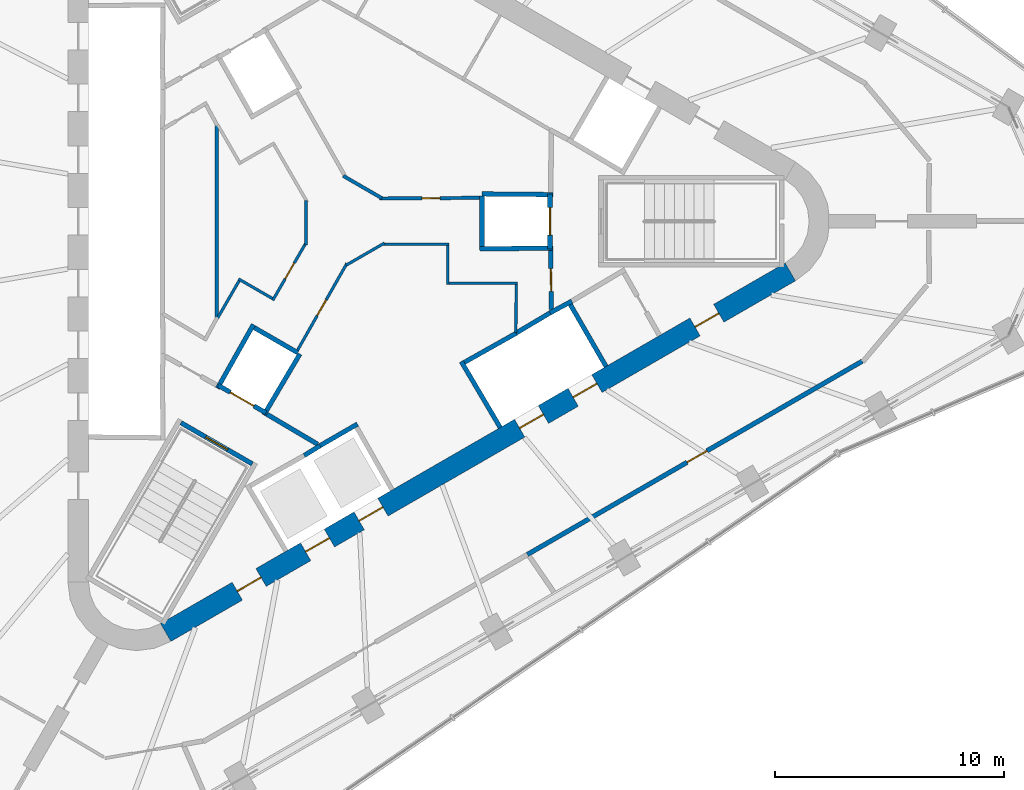
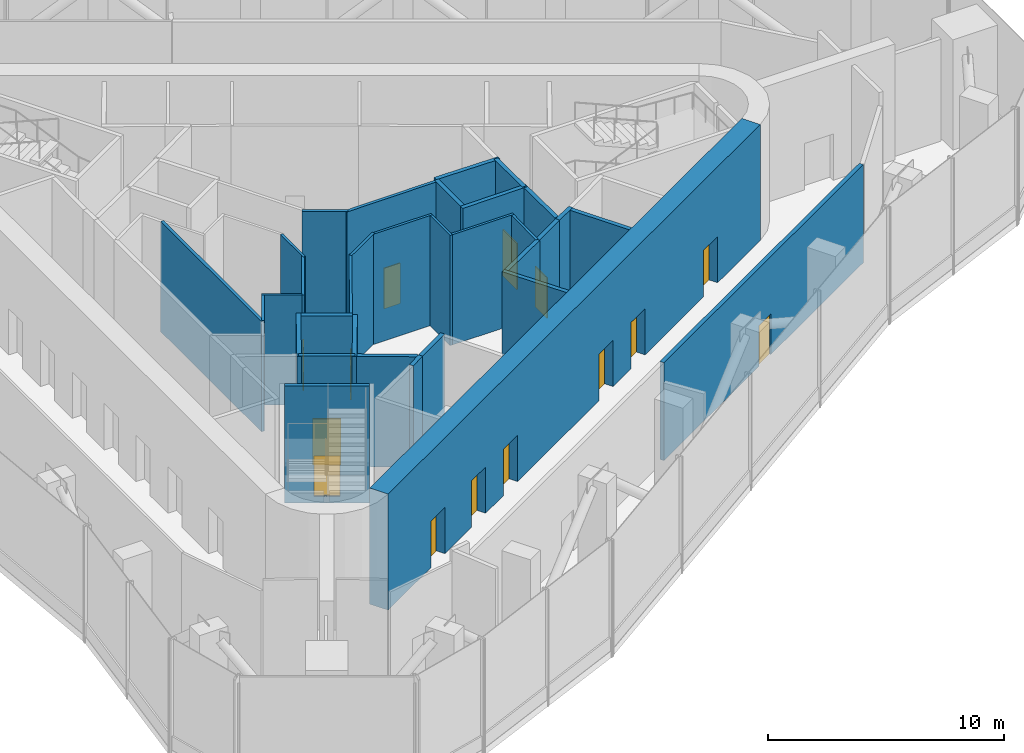
# One storey, part 8 of 15: 33 walls, 14 doors, 14 openings.
"""IFC4 building model written with IfcOpenShell, lengths in metres."""

import ifcopenshell
import ifcopenshell.guid

model = None  # the IFC model being written
_history = None  # IfcOwnerHistory: only IFC2X3 demands one
_inside = {}  # id of a spatial element -> (the spatial element, [elements in it])
_under = {}  # id of a project, library or spatial element -> (it, [spatial elements below it])
_declared = {}  # id of a project -> (the project, [libraries it declares])
_typed = {}  # id of a type object -> (the type object, [elements of that type])
_made_of = {}  # id of a material, layer set ... -> (it, [elements and type objects made of it])


def new_model(schema):
    """Start an empty IFC model of exactly this schema.

    Asked for "IFC4X3", IfcOpenShell would pick the latest addendum, in which some entities
    have other attributes; the version numbers below select the first issue.
    IFC2X3 requires an IfcOwnerHistory on every rooted entity: one is made here for all.
    """
    global model, _history
    if schema == "IFC4X3":
        model = ifcopenshell.file(schema_version=(4, 3, 0, 0))
    else:
        model = ifcopenshell.file(schema=schema)
    _inside.clear()
    _under.clear()
    _declared.clear()
    _typed.clear()
    _made_of.clear()
    _history = None
    if model.schema == "IFC2X3":
        org = make("IfcOrganization", Name="unknown")
        user = make(
            "IfcPersonAndOrganization",
            ThePerson=make("IfcPerson", FamilyName="unknown"),
            TheOrganization=org,
        )
        app = make(
            "IfcApplication",
            ApplicationDeveloper=org,
            Version="unknown",
            ApplicationFullName="unknown",
            ApplicationIdentifier="unknown",
        )
        _history = make(
            "IfcOwnerHistory",
            OwningUser=user,
            OwningApplication=app,
            ChangeAction="ADDED",
            CreationDate=0,
        )
    return model


def make(cls, **values):
    """One entity of the class cls with the attributes given. An attribute that is None is left unset."""
    return model.create_entity(
        cls, **{name: value for name, value in values.items() if value is not None}
    )


def rooted(cls, **values):
    """An entity with a GlobalId (a new one), such as an element, a storey or a relation."""
    return make(cls, GlobalId=ifcopenshell.guid.new(), OwnerHistory=_history, **values)


def si_unit(unit_type, name, prefix=None):
    """IfcSIUnit, for example si_unit("LENGTHUNIT", "METRE", prefix="MILLI")."""
    return make("IfcSIUnit", UnitType=unit_type, Prefix=prefix, Name=name)


def assignment(units):
    """IfcUnitAssignment: the units of a project."""
    return None if units is None else make("IfcUnitAssignment", Units=units)


def point(xyz):
    """IfcCartesianPoint."""
    return None if xyz is None else make("IfcCartesianPoint", Coordinates=xyz)


def direction(xyz):
    """IfcDirection."""
    return None if xyz is None else make("IfcDirection", DirectionRatios=xyz)


def frame(location, z_axis=None, x_axis=None):
    """IfcAxis2Placement3D, a coordinate frame: its origin and axes. An axis left out is left unset."""
    return make(
        "IfcAxis2Placement3D",
        Location=point(location),
        Axis=direction(z_axis),
        RefDirection=direction(x_axis),
    )


def frame_2d(location, x_axis=None):
    """IfcAxis2Placement2D, a coordinate frame in the plane: its origin and x axis."""
    return make(
        "IfcAxis2Placement2D", Location=point(location), RefDirection=direction(x_axis)
    )


def origin():
    """The frame at (0, 0, 0) with its axes left unset."""
    return frame((0.0, 0.0, 0.0))


def place(relative_to, where):
    """IfcLocalPlacement: puts the frame where relative to a parent placement (None: the world)."""
    return make(
        "IfcLocalPlacement", PlacementRelTo=relative_to, RelativePlacement=where
    )


def context(
    kind, dimensions, precision=None, world=None, true_north=None, identifier=None
):
    """IfcGeometricRepresentationContext, for example the 3D "Model" context."""
    return make(
        "IfcGeometricRepresentationContext",
        ContextIdentifier=identifier,
        ContextType=kind,
        CoordinateSpaceDimension=dimensions,
        Precision=precision,
        WorldCoordinateSystem=world,
        TrueNorth=true_north,
    )


def subcontext(parent, identifier, kind, view, scale=None):
    """IfcGeometricRepresentationSubContext, for example "Body" below "Model"."""
    return make(
        "IfcGeometricRepresentationSubContext",
        ContextIdentifier=identifier,
        ContextType=kind,
        ParentContext=parent,
        TargetScale=scale,
        TargetView=view,
    )


def project(units=None, contexts=None):
    """IfcProject with its units and contexts."""
    return rooted(
        "IfcProject",
        Name="project",
        RepresentationContexts=contexts,
        UnitsInContext=assignment(units),
    )


def spatial(cls, under=None, at=None, **own):
    """A site, building, storey or space (cls), placed at a placement, below another one or the project."""
    s = rooted(cls, ObjectPlacement=at, **own)
    if under is not None:
        _under.setdefault(under.id(), (under, []))[1].append(s)
    return s


def profile(cls, at=None, kind="AREA", **sizes):
    """A parametric profile (cls). Its sizes go by their IFC names, for example OverallWidth=200.0."""
    return make(cls, ProfileType=kind, Position=at, **sizes)


def rectangle(**sizes):
    """IfcRectangleProfileDef."""
    return profile("IfcRectangleProfileDef", **sizes)


def extrude(swept, where, along, depth):
    """IfcExtrudedAreaSolid: the profile swept, set in the frame where, extruded along a direction by depth."""
    return make(
        "IfcExtrudedAreaSolid",
        SweptArea=swept,
        Position=where,
        ExtrudedDirection=direction(along),
        Depth=depth,
    )


def shape(context_of_items, identifier, shape_type, items):
    """IfcShapeRepresentation: the items that make up one representation, for example the "Body"."""
    return make(
        "IfcShapeRepresentation",
        ContextOfItems=context_of_items,
        RepresentationIdentifier=identifier,
        RepresentationType=shape_type,
        Items=items,
    )


def material(Name=None, Category=None):
    """IfcMaterial."""
    return make("IfcMaterial", Name=Name, Category=Category)


def layer(
    of_material, thickness, ventilated=None, Name=None, Category=None, Priority=None
):
    """IfcMaterialLayer: one layer of a wall or slab, of a material (None: an air gap)."""
    return make(
        "IfcMaterialLayer",
        Material=of_material,
        LayerThickness=thickness,
        IsVentilated=ventilated,
        Name=Name,
        Category=Category,
        Priority=Priority,
    )


def layer_set(layers, Name=None):
    """IfcMaterialLayerSet."""
    return make("IfcMaterialLayerSet", MaterialLayers=layers, LayerSetName=Name)


def made_of(thing, what):
    """Note that an element or type object is made of a material, layer set ...; save() writes the relation."""
    if what is not None:
        _made_of.setdefault(what.id(), (what, []))[1].append(thing)
    return thing


def type_object(cls, material=None, **own):
    """A type object (cls), such as IfcWallType, which elements share."""
    return made_of(rooted(cls, **own), material)


def element(
    cls,
    number,
    at=None,
    inside=None,
    cuts=None,
    type_object=None,
    material=None,
    context=None,
    identifier="Body",
    shape_type=None,
    held_by="IfcProductDefinitionShape",
    body=None,
    shapes=None,
    **own,
):
    """One element of the class cls, such as IfcWall. Its Tag is "e" and its number.

    at: its placement. inside: the storey or other place that contains it. cuts: it is an
    opening in that element (IfcRelVoidsElement). A single representation is given by context,
    identifier, shape_type and body (its items); several are given by shapes. held_by: the class
    of the entity that holds the representations. save() writes the other relations.
    """
    e = rooted(cls, Tag="e%d" % number, ObjectPlacement=at, **own)
    if body is not None:
        shapes = [shape(context, identifier, shape_type, body)]
    if shapes is not None:
        e.Representation = make(held_by, Representations=shapes)
    if inside is not None:
        _inside.setdefault(inside.id(), (inside, []))[1].append(e)
    if cuts is not None:
        rooted(
            "IfcRelVoidsElement", RelatingBuildingElement=cuts, RelatedOpeningElement=e
        )
    if type_object is not None:
        _typed.setdefault(type_object.id(), (type_object, []))[1].append(e)
    return made_of(e, material)


def fill(opening, filler):
    """IfcRelFillsElement: the door or window that sits in an opening."""
    return rooted(
        "IfcRelFillsElement",
        RelatingOpeningElement=opening,
        RelatedBuildingElement=filler,
    )


def aggregate(whole, parts):
    """IfcRelAggregates: a whole, such as a stair, and the parts it consists of."""
    return rooted("IfcRelAggregates", RelatingObject=whole, RelatedObjects=parts)


def save(model, path):
    """Write the relations noted so far, then the file.

    IfcRelAggregates (storeys below a building ...), IfcRelContainedInSpatialStructure (elements
    in a storey), IfcRelDefinesByType, IfcRelAssociatesMaterial and IfcRelDeclares: one each for
    every whole, place, type object, material and project.
    """
    for whole, parts in _under.values():
        aggregate(whole, parts)
    for where, things in _inside.values():
        rooted(
            "IfcRelContainedInSpatialStructure",
            RelatedElements=things,
            RelatingStructure=where,
        )
    for kind, things in _typed.values():
        rooted("IfcRelDefinesByType", RelatedObjects=things, RelatingType=kind)
    for what, things in _made_of.values():
        rooted("IfcRelAssociatesMaterial", RelatedObjects=things, RelatingMaterial=what)
    for by, libraries in _declared.values():
        rooted("IfcRelDeclares", RelatingContext=by, RelatedDefinitions=libraries)
    model.write(path)


model = new_model("IFC4")

# Units and contexts
model_context = context("Model", 3, precision=1e-05, world=origin(), true_north=direction((0.0, 1.0)))
body_context = subcontext(model_context, "Body", "Model", "MODEL_VIEW")
ifc_project = project(units=[si_unit("LENGTHUNIT", "METRE"), si_unit("AREAUNIT", "SQUARE_METRE"), si_unit("VOLUMEUNIT", "CUBIC_METRE"), si_unit("PLANEANGLEUNIT", "RADIAN"), si_unit("MASSUNIT", "GRAM", prefix="KILO")], contexts=[model_context])

# Site, building, storey
site_placement = place(None, origin())
site = spatial("IfcSite", under=ifc_project, at=site_placement, CompositionType="ELEMENT")
building_placement = place(site_placement, origin())
building = spatial("IfcBuilding", under=site, at=building_placement, Name="Tanit Gate Tower", CompositionType="ELEMENT")
storey_placement = place(building_placement, frame((0.0, 0.0, 392.300048828125)))
storey = spatial("IfcBuildingStorey", under=building, at=storey_placement, Name="L90", CompositionType="ELEMENT", Elevation=392.300048828125)

# Wall, openings, doors
ifc_material_1 = material(Name="Concrete C40/50", Category="concrete")
ifc_layer_1 = layer(ifc_material_1, 0.89990234375)
ifc_layer_set_1 = layer_set([ifc_layer_1], Name="CORE WALL 900 C40/50")
wall_type_1 = type_object("IfcWallType", Name="CORE WALL 900 C40/50", PredefinedType="SHEAR", material=ifc_layer_set_1)
wall_1_placement = place(storey_placement, frame((-7.824951171875, -17.969970703125, 0.0), z_axis=(0.0, 0.0, 1.0), x_axis=(0.866028369851, 0.499994862586, 0.0)))
wall_1 = element("IfcWall", 1, at=wall_1_placement, inside=storey, type_object=wall_type_1, Name="CORE WALL", PredefinedType="SHEAR", context=body_context, shape_type="SweptSolid", body=[
    extrude(rectangle(XDim=31.523193359375, YDim=0.89990234375, at=frame_2d((15.76171875, 0.0))), origin(), (0.0, 0.0, 1.0), 6.0),
])
opening_1_placement = place(wall_1_placement, frame((7.061767578125, 0.0, 0.0)))
opening_1 = element("IfcOpeningElement", 2, at=opening_1_placement, cuts=wall_1, Name="Opening LDOL1-90", PredefinedType="OPENING", context=body_context, shape_type="SweptSolid", body=[
    extrude(rectangle(XDim=1.199951171875, YDim=2.39990234375, at=frame_2d((0.60009765625, 1.199951171875))), frame((0.0, 0.4599609375, 0.0), z_axis=(0.0, -1.0, 0.0), x_axis=(1.0, 0.0, 0.0)), (0.0, 0.0, 1.0), 0.919921875),
])
opening_2_placement = place(wall_1_placement, frame((9.76171875, 0.0, 0.0)))
opening_2 = element("IfcOpeningElement", 3, at=opening_2_placement, cuts=wall_1, Name="Opening LDOL2-90", PredefinedType="OPENING", context=body_context, shape_type="SweptSolid", body=[
    extrude(rectangle(XDim=1.199951171875, YDim=2.39990234375, at=frame_2d((0.60009765625, 1.199951171875))), frame((0.0, 0.4599609375, 0.0), z_axis=(0.0, -1.0, 0.0), x_axis=(1.0, 0.0, 0.0)), (0.0, 0.0, 1.0), 0.919921875),
])
opening_3_placement = place(wall_1_placement, frame((17.861572265625, 0.0, 0.0)))
opening_3 = element("IfcOpeningElement", 4, at=opening_3_placement, cuts=wall_1, Name="Opening LDSV1-90", PredefinedType="OPENING", context=body_context, shape_type="SweptSolid", body=[
    extrude(rectangle(XDim=1.199951171875, YDim=2.39990234375, at=frame_2d((0.60009765625, 1.199951171875))), frame((0.0, 0.4599609375, 0.0), z_axis=(0.0, -1.0, 0.0), x_axis=(1.0, 0.0, 0.0)), (0.0, 0.0, 1.0), 0.919921875),
])
opening_4_placement = place(wall_1_placement, frame((20.561767578125, 0.0, 0.0)))
opening_4 = element("IfcOpeningElement", 5, at=opening_4_placement, cuts=wall_1, Name="Opening LDSV2-90", PredefinedType="OPENING", context=body_context, shape_type="SweptSolid", body=[
    extrude(rectangle(XDim=1.199951171875, YDim=2.39990234375, at=frame_2d((0.60009765625, 1.199951171875))), frame((0.0, 0.4599609375, 0.0), z_axis=(0.0, -1.0, 0.0), x_axis=(1.0, 0.0, 0.0)), (0.0, 0.0, 1.0), 0.919921875),
])
opening_5_placement = place(wall_1_placement, frame((26.711669921875, 0.0, 0.0)))
opening_5 = element("IfcOpeningElement", 6, at=opening_5_placement, cuts=wall_1, Name="Opening F12-90-S1", PredefinedType="OPENING", context=body_context, shape_type="SweptSolid", body=[
    extrude(rectangle(XDim=1.199951171875, YDim=2.39990234375, at=frame_2d((0.60009765625, 1.199951171875))), frame((0.0, 0.4599609375, 0.0), z_axis=(0.0, -1.0, 0.0), x_axis=(1.0, 0.0, 0.0)), (0.0, 0.0, 1.0), 0.919921875),
])
opening_6_placement = place(wall_1_placement, frame((3.611572265625, 0.0, 0.0)))
opening_6 = element("IfcOpeningElement", 7, at=opening_6_placement, cuts=wall_1, Name="Opening F12-90-FL3", PredefinedType="OPENING", context=body_context, shape_type="SweptSolid", body=[
    extrude(rectangle(XDim=1.199951171875, YDim=2.39990234375, at=frame_2d((0.60009765625, 1.199951171875))), frame((0.0, 0.4599609375, 0.0), z_axis=(0.0, -1.0, 0.0), x_axis=(1.0, 0.0, 0.0)), (0.0, 0.0, 1.0), 0.919921875),
])
ifc_material_2 = material(Name="Fire-rated steel door leaf", Category="steel")
door_type_1 = type_object("IfcDoorType", Name="INT-DOOR-FIRE-LOBBY-1200", OperationType="NOTDEFINED", PredefinedType="USERDEFINED", material=ifc_material_2)
door_1_placement = place(opening_5_placement, origin())
door_1 = element("IfcDoor", 8, at=door_1_placement, inside=storey, type_object=door_type_1, Name="Door F12-90-S1", ObjectType="FIRE DOOR", OperationType="SINGLE_SWING_RIGHT", OverallHeight=2.39990234375, OverallWidth=1.199951171875, PredefinedType="USERDEFINED", context=body_context, shape_type="SweptSolid", body=[
    extrude(rectangle(XDim=1.199951171875, YDim=2.39990234375, at=frame_2d((0.60009765625, 1.199951171875))), frame((0.0, 0.02490234375, 0.0), z_axis=(0.0, -1.0, 0.0), x_axis=(1.0, 0.0, 0.0)), (0.0, 0.0, 1.0), 0.050048828125),
])
fill(opening_5, door_1)
door_2_placement = place(opening_6_placement, origin())
door_2 = element("IfcDoor", 9, at=door_2_placement, inside=storey, type_object=door_type_1, Name="Door F12-90-FL3", ObjectType="FIRE DOOR", OperationType="SINGLE_SWING_LEFT", OverallHeight=2.39990234375, OverallWidth=1.199951171875, PredefinedType="USERDEFINED", context=body_context, shape_type="SweptSolid", body=[
    extrude(rectangle(XDim=1.199951171875, YDim=2.39990234375, at=frame_2d((0.60009765625, 1.199951171875))), frame((0.0, 0.02490234375, 0.0), z_axis=(0.0, -1.0, 0.0), x_axis=(1.0, 0.0, 0.0)), (0.0, 0.0, 1.0), 0.050048828125),
])
fill(opening_6, door_2)
ifc_material_3 = material(Name="Stainless steel sliding door leaf", Category="steel")
door_type_2 = type_object("IfcDoorType", Name="INT-DOOR-LANDING-1200", OperationType="NOTDEFINED", PredefinedType="USERDEFINED", material=ifc_material_3)
door_3_placement = place(opening_1_placement, origin())
door_3 = element("IfcDoor", 10, at=door_3_placement, inside=storey, type_object=door_type_2, Name="Door LDOL1-90", ObjectType="LANDING DOOR", OperationType="SLIDING_TO_LEFT", OverallHeight=2.39990234375, OverallWidth=1.199951171875, PredefinedType="USERDEFINED", context=body_context, shape_type="SweptSolid", body=[
    extrude(rectangle(XDim=1.199951171875, YDim=2.39990234375, at=frame_2d((0.60009765625, 1.199951171875))), frame((0.0, 0.02490234375, 0.0), z_axis=(0.0, -1.0, 0.0), x_axis=(1.0, 0.0, 0.0)), (0.0, 0.0, 1.0), 0.050048828125),
])
fill(opening_1, door_3)
door_4_placement = place(opening_2_placement, origin())
door_4 = element("IfcDoor", 11, at=door_4_placement, inside=storey, type_object=door_type_2, Name="Door LDOL2-90", ObjectType="LANDING DOOR", OperationType="SLIDING_TO_LEFT", OverallHeight=2.39990234375, OverallWidth=1.199951171875, PredefinedType="USERDEFINED", context=body_context, shape_type="SweptSolid", body=[
    extrude(rectangle(XDim=1.199951171875, YDim=2.39990234375, at=frame_2d((0.60009765625, 1.199951171875))), frame((0.0, 0.02490234375, 0.0), z_axis=(0.0, -1.0, 0.0), x_axis=(1.0, 0.0, 0.0)), (0.0, 0.0, 1.0), 0.050048828125),
])
fill(opening_2, door_4)
door_5_placement = place(opening_3_placement, origin())
door_5 = element("IfcDoor", 12, at=door_5_placement, inside=storey, type_object=door_type_2, Name="Door LDSV1-90", ObjectType="LANDING DOOR", OperationType="SLIDING_TO_LEFT", OverallHeight=2.39990234375, OverallWidth=1.199951171875, PredefinedType="USERDEFINED", context=body_context, shape_type="SweptSolid", body=[
    extrude(rectangle(XDim=1.199951171875, YDim=2.39990234375, at=frame_2d((0.60009765625, 1.199951171875))), frame((0.0, 0.02490234375, 0.0), z_axis=(0.0, -1.0, 0.0), x_axis=(1.0, 0.0, 0.0)), (0.0, 0.0, 1.0), 0.050048828125),
])
fill(opening_3, door_5)
door_6_placement = place(opening_4_placement, origin())
door_6 = element("IfcDoor", 13, at=door_6_placement, inside=storey, type_object=door_type_2, Name="Door LDSV2-90", ObjectType="LANDING DOOR", OperationType="SLIDING_TO_LEFT", OverallHeight=2.39990234375, OverallWidth=1.199951171875, PredefinedType="USERDEFINED", context=body_context, shape_type="SweptSolid", body=[
    extrude(rectangle(XDim=1.199951171875, YDim=2.39990234375, at=frame_2d((0.60009765625, 1.199951171875))), frame((0.0, 0.02490234375, 0.0), z_axis=(0.0, -1.0, 0.0), x_axis=(1.0, 0.0, 0.0)), (0.0, 0.0, 1.0), 0.050048828125),
])
fill(opening_4, door_6)

# Wall, opening, door
ifc_material_4 = material(Name="Fire-rated gypsum board partition")
ifc_layer_2 = layer(ifc_material_4, 0.199951171875)
ifc_layer_set_2 = layer_set([ifc_layer_2], Name="INT-WALL-COMPARTMENT")
wall_type_2 = type_object("IfcWallType", Name="INT-WALL-COMPARTMENT", PredefinedType="PARTITIONING", material=ifc_layer_set_2)
wall_2_placement = place(storey_placement, frame((9.02880859375, -3.850830078125, 0.0), z_axis=(0.0, 0.0, 1.0), x_axis=(-0.010783593937, 0.99994185536, 0.0)))
wall_2 = element("IfcWall", 14, at=wall_2_placement, inside=storey, type_object=wall_type_2, Name="Wall Compartment W065", PredefinedType="PARTITIONING", context=body_context, shape_type="SweptSolid", body=[
    extrude(rectangle(XDim=2.5810546875, YDim=0.199951171875, at=frame_2d((1.29052734375, 0.0))), origin(), (0.0, 0.0, 1.0), 5.699951171875),
])
opening_7_placement = place(wall_2_placement, frame((0.79052734375, 0.0, 0.0)))
opening_7 = element("IfcOpeningElement", 15, at=opening_7_placement, cuts=wall_2, Name="Opening F10-90-02", PredefinedType="OPENING", context=body_context, shape_type="SweptSolid", body=[
    extrude(rectangle(XDim=1.0, YDim=2.10009765625, at=frame_2d((0.5, 1.050048828125))), frame((0.0, 0.10986328125, 0.0), z_axis=(0.0, -1.0, 0.0), x_axis=(1.0, 0.0, 0.0)), (0.0, 0.0, 1.0), 0.219970703125),
])
ifc_material_5 = material(Name="Fire-rated steel door leaf", Category="steel")
door_type_3 = type_object("IfcDoorType", Name="INT-DOOR-FIRE-1000", OperationType="NOTDEFINED", PredefinedType="USERDEFINED", material=ifc_material_5)
door_7_placement = place(opening_7_placement, origin())
door_7 = element("IfcDoor", 16, at=door_7_placement, inside=storey, type_object=door_type_3, Name="Door F10-90-02", ObjectType="FIRE DOOR", OperationType="SINGLE_SWING_LEFT", OverallHeight=2.10009765625, OverallWidth=1.0, PredefinedType="USERDEFINED", context=body_context, shape_type="SweptSolid", body=[
    extrude(rectangle(XDim=1.0, YDim=2.10009765625, at=frame_2d((0.5, 1.050048828125))), frame((0.0, 0.02490234375, 0.0), z_axis=(0.0, -1.0, 0.0), x_axis=(1.0, 0.0, 0.0)), (0.0, 0.0, 1.0), 0.050048828125),
])
fill(opening_7, door_7)

# Wall
wall_3_placement = place(storey_placement, frame((-3.400634765625, -8.43017578125, 0.0), z_axis=(0.0, 0.0, 1.0), x_axis=(0.860630814782, -0.509229418482, 0.0)))
element("IfcWall", 17, at=wall_3_placement, inside=storey, type_object=wall_type_2, Name="Wall Compartment W068", PredefinedType="PARTITIONING", context=body_context, shape_type="SweptSolid", body=[
    extrude(rectangle(XDim=2.581787109375, YDim=0.199951171875, at=frame_2d((1.291015625, 0.0))), origin(), (0.0, 0.0, 1.0), 5.699951171875),
])

# Wall, opening, door
wall_4_placement = place(storey_placement, frame((7.98388671875, -14.55859375, 0.0), z_axis=(0.0, 0.0, 1.0), x_axis=(0.866028009752, 0.499995486305, 0.0)))
wall_4 = element("IfcWall", 18, at=wall_4_placement, inside=storey, type_object=wall_type_2, Name="Wall Compartment W118", PredefinedType="PARTITIONING", context=body_context, shape_type="SweptSolid", body=[
    extrude(rectangle(XDim=16.899658203125, YDim=0.199951171875, at=frame_2d((8.44970703125, 0.0))), origin(), (0.0, 0.0, 1.0), 5.070068359375),
])
opening_8_placement = place(wall_4_placement, frame((8.056396484375, 0.0, 0.0)))
opening_8 = element("IfcOpeningElement", 19, at=opening_8_placement, cuts=wall_4, Name="Opening F10-90-27", PredefinedType="OPENING", context=body_context, shape_type="SweptSolid", body=[
    extrude(rectangle(XDim=1.0, YDim=2.10009765625, at=frame_2d((0.5, 1.050048828125))), frame((0.0, 0.10986328125, 0.0), z_axis=(0.0, -1.0, 0.0), x_axis=(1.0, 0.0, 0.0)), (0.0, 0.0, 1.0), 0.219970703125),
])
door_8_placement = place(opening_8_placement, origin())
door_8 = element("IfcDoor", 20, at=door_8_placement, inside=storey, type_object=door_type_3, Name="Door F10-90-27", ObjectType="FIRE DOOR", OperationType="SINGLE_SWING_RIGHT", OverallHeight=2.10009765625, OverallWidth=1.0, PredefinedType="USERDEFINED", context=body_context, shape_type="SweptSolid", body=[
    extrude(rectangle(XDim=1.0, YDim=2.10009765625, at=frame_2d((0.5, 1.050048828125))), frame((0.0, 0.02490234375, 0.0), z_axis=(0.0, -1.0, 0.0), x_axis=(1.0, 0.0, 0.0)), (0.0, 0.0, 1.0), 0.050048828125),
])
fill(opening_8, door_8)

ifc_material_6 = material(Name="Gypsum board partition")
ifc_layer_3 = layer(ifc_material_6, 0.1201171875)
ifc_layer_set_3 = layer_set([ifc_layer_3], Name="INT-WALL-PARTITION")
wall_type_3 = type_object("IfcWallType", Name="INT-WALL-PARTITION", PredefinedType="PARTITIONING", material=ifc_layer_set_3)
wall_5_placement = place(storey_placement, frame((0.09375, -1.8359375, 0.0), z_axis=(0.0, 0.0, 1.0), x_axis=(-0.494097972448, -0.869406230495, 0.0)))
wall_5 = element("IfcWall", 21, at=wall_5_placement, inside=storey, type_object=wall_type_3, Name="Wall Partition W073", PredefinedType="PARTITIONING", context=body_context, shape_type="SweptSolid", body=[
    extrude(rectangle(XDim=4.357177734375, YDim=0.1201171875, at=frame_2d((2.1787109375, 0.0))), origin(), (0.0, 0.0, 1.0), 5.699951171875),
])
opening_9_placement = place(wall_5_placement, frame((1.82958984375, 0.0, 0.0)))
opening_9 = element("IfcOpeningElement", 22, at=opening_9_placement, cuts=wall_5, Name="Opening R08-90-11", PredefinedType="OPENING", context=body_context, shape_type="SweptSolid", body=[
    extrude(rectangle(XDim=0.800048828125, YDim=2.10009765625, at=frame_2d((0.39990234375, 1.050048828125))), frame((0.0, 0.070068359375, 0.0), z_axis=(0.0, -1.0, 0.0), x_axis=(1.0, 0.0, 0.0)), (0.0, 0.0, 1.0), 0.14013671875),
])
ifc_material_7 = material(Name="Timber door leaf", Category="wood")
door_type_4 = type_object("IfcDoorType", Name="INT-DOOR-RISER-800", OperationType="NOTDEFINED", PredefinedType="USERDEFINED", material=ifc_material_7)
door_9_placement = place(opening_9_placement, origin())
door_9 = element("IfcDoor", 23, at=door_9_placement, inside=storey, type_object=door_type_4, Name="Door R08-90-11", ObjectType="FIRE DOOR", OperationType="SINGLE_SWING_RIGHT", OverallHeight=2.10009765625, OverallWidth=0.800048828125, PredefinedType="USERDEFINED", context=body_context, shape_type="SweptSolid", body=[
    extrude(rectangle(XDim=0.800048828125, YDim=2.10009765625, at=frame_2d((0.39990234375, 1.050048828125))), frame((0.0, 0.02490234375, 0.0), z_axis=(0.0, -1.0, 0.0), x_axis=(1.0, 0.0, 0.0)), (0.0, 0.0, 1.0), 0.050048828125),
])
fill(opening_9, door_9)

# Walls
wall_6_placement = place(storey_placement, frame((1.7353515625, -0.947998046875, 0.0), z_axis=(0.0, 0.0, 1.0), x_axis=(-0.866021702275, -0.500006411147, 0.0)))
element("IfcWall", 24, at=wall_6_placement, inside=storey, type_object=wall_type_3, Name="Wall Partition W074", PredefinedType="PARTITIONING", context=body_context, shape_type="SweptSolid", body=[
    extrude(rectangle(XDim=1.93505859375, YDim=0.1201171875, at=frame_2d((0.967529296875, 0.0))), origin(), (0.0, 0.0, 1.0), 5.699951171875),
])
wall_7_placement = place(storey_placement, frame((4.56005859375, -1.0, 0.0), z_axis=(0.0, 0.0, 1.0), x_axis=(-1.0, 0.0, 0.0)))
element("IfcWall", 25, at=wall_7_placement, inside=storey, type_object=wall_type_3, Name="Wall Partition W075", PredefinedType="PARTITIONING", context=body_context, shape_type="SweptSolid", body=[
    extrude(rectangle(XDim=2.89599609375, YDim=0.1201171875, at=frame_2d((1.447998046875, 0.0))), origin(), (0.0, 0.0, 1.0), 5.699951171875),
])
wall_8_placement = place(storey_placement, frame((4.5, -2.760009765625, 0.0), z_axis=(0.0, 0.0, 1.0), x_axis=(0.0, 1.0, 0.0)))
element("IfcWall", 26, at=wall_8_placement, inside=storey, type_object=wall_type_3, Name="Wall Partition W076", PredefinedType="PARTITIONING", context=body_context, shape_type="SweptSolid", body=[
    extrude(rectangle(XDim=1.699951171875, YDim=0.1201171875, at=frame_2d((0.85009765625, 0.0))), origin(), (0.0, 0.0, 1.0), 5.699951171875),
])
wall_9_placement = place(storey_placement, frame((7.56005859375, -2.699951171875, 0.0), z_axis=(0.0, 0.0, 1.0), x_axis=(-1.0, 0.0, 0.0)))
element("IfcWall", 27, at=wall_9_placement, inside=storey, type_object=wall_type_3, Name="Wall Partition W077", PredefinedType="PARTITIONING", context=body_context, shape_type="SweptSolid", body=[
    extrude(rectangle(XDim=3.0, YDim=0.1201171875, at=frame_2d((1.5, 0.0))), origin(), (0.0, 0.0, 1.0), 5.699951171875),
])
wall_10_placement = place(storey_placement, frame((7.474609375, -4.864501953125, 0.0), z_axis=(0.0, 0.0, 1.0), x_axis=(0.011716133148, 0.999931363757, 0.0)))
element("IfcWall", 28, at=wall_10_placement, inside=storey, type_object=wall_type_3, Name="Wall Partition W078", PredefinedType="PARTITIONING", context=body_context, shape_type="SweptSolid", body=[
    extrude(rectangle(XDim=2.104736328125, YDim=0.1201171875, at=frame_2d((1.05224609375, 0.0))), origin(), (0.0, 0.0, 1.0), 5.699951171875),
])
wall_11_placement = place(storey_placement, frame((-1.688720703125, -1.02880859375, 0.0), z_axis=(0.0, 0.0, 1.0), x_axis=(0.0, 1.0, 0.0)))
element("IfcWall", 29, at=wall_11_placement, inside=storey, type_object=wall_type_3, Name="Wall Partition W087", PredefinedType="PARTITIONING", context=body_context, shape_type="SweptSolid", body=[
    extrude(rectangle(XDim=1.935302734375, YDim=0.1201171875, at=frame_2d((0.9677734375, 0.0))), origin(), (0.0, 0.0, 1.0), 5.699951171875),
])

# Wall, opening, door
wall_12_placement = place(storey_placement, frame((-3.14599609375, -3.448974609375, 0.0), z_axis=(0.0, 0.0, 1.0), x_axis=(0.500028961621, 0.866008682139, 0.0)))
wall_12 = element("IfcWall", 30, at=wall_12_placement, inside=storey, type_object=wall_type_3, Name="Wall Partition W088", PredefinedType="PARTITIONING", context=body_context, shape_type="SweptSolid", body=[
    extrude(rectangle(XDim=2.895751953125, YDim=0.1201171875, at=frame_2d((1.44775390625, 0.0))), origin(), (0.0, 0.0, 1.0), 5.699951171875),
])
opening_10_placement = place(wall_12_placement, frame((1.077880859375, 0.0, 0.0)))
opening_10 = element("IfcOpeningElement", 31, at=opening_10_placement, cuts=wall_12, Name="Opening R08-90-13", PredefinedType="OPENING", context=body_context, shape_type="SweptSolid", body=[
    extrude(rectangle(XDim=0.800048828125, YDim=2.10009765625, at=frame_2d((0.39990234375, 1.050048828125))), frame((0.0, 0.070068359375, 0.0), z_axis=(0.0, -1.0, 0.0), x_axis=(1.0, 0.0, 0.0)), (0.0, 0.0, 1.0), 0.14013671875),
])
door_10_placement = place(opening_10_placement, origin())
door_10 = element("IfcDoor", 32, at=door_10_placement, inside=storey, type_object=door_type_4, Name="Door R08-90-13", ObjectType="FIRE DOOR", OperationType="SINGLE_SWING_LEFT", OverallHeight=2.10009765625, OverallWidth=0.800048828125, PredefinedType="USERDEFINED", context=body_context, shape_type="SweptSolid", body=[
    extrude(rectangle(XDim=0.800048828125, YDim=2.10009765625, at=frame_2d((0.39990234375, 1.050048828125))), frame((0.0, 0.02490234375, 0.0), z_axis=(0.0, -1.0, 0.0), x_axis=(1.0, 0.0, 0.0)), (0.0, 0.0, 1.0), 0.050048828125),
])
fill(opening_10, door_10)

# Walls
wall_13_placement = place(storey_placement, frame((-4.64013671875, -2.51708984375, 0.0), z_axis=(0.0, 0.0, 1.0), x_axis=(0.865989465428, -0.500062241894, 0.0)))
element("IfcWall", 33, at=wall_13_placement, inside=storey, type_object=wall_type_3, Name="Wall Partition W089", PredefinedType="PARTITIONING", context=body_context, shape_type="SweptSolid", body=[
    extrude(rectangle(XDim=1.699951171875, YDim=0.1201171875, at=frame_2d((0.85009765625, 0.0))), origin(), (0.0, 0.0, 1.0), 5.699951171875),
])
wall_14_placement = place(storey_placement, frame((-5.57080078125, -4.248779296875, 0.0), z_axis=(0.0, 0.0, 1.0), x_axis=(0.500081145431, 0.865978549379, 0.0)))
element("IfcWall", 34, at=wall_14_placement, inside=storey, type_object=wall_type_3, Name="Wall Partition W090", PredefinedType="PARTITIONING", context=body_context, shape_type="SweptSolid", body=[
    extrude(rectangle(XDim=1.905029296875, YDim=0.1201171875, at=frame_2d((0.95263671875, 0.0))), origin(), (0.0, 0.0, 1.0), 5.699951171875),
])

# Wall, opening, door
ifc_material_8 = material(Name="Fire-rated gypsum board partition")
ifc_layer_4 = layer(ifc_material_8, 0.14990234375)
ifc_layer_set_4 = layer_set([ifc_layer_4], Name="INT-WALL-RISER")
wall_type_4 = type_object("IfcWallType", Name="INT-WALL-RISER", PredefinedType="PLUMBINGWALL", material=ifc_layer_set_4)
wall_15_placement = place(storey_placement, frame((1.517578125, 0.9990234375, 0.0), z_axis=(0.0, 0.0, 1.0), x_axis=(0.999976903524, 0.006796500403, 0.0)))
wall_15 = element("IfcWall", 35, at=wall_15_placement, inside=storey, type_object=wall_type_4, Name="Wall Riser W070", PredefinedType="PLUMBINGWALL", context=body_context, shape_type="SweptSolid", body=[
    extrude(rectangle(XDim=4.38232421875, YDim=0.14990234375, at=frame_2d((2.191162109375, 0.0))), origin(), (0.0, 0.0, 1.0), 5.699951171875),
])
opening_11_placement = place(wall_15_placement, frame((1.855224609375, 0.0, 0.0)))
opening_11 = element("IfcOpeningElement", 36, at=opening_11_placement, cuts=wall_15, Name="Opening R08-90-10", PredefinedType="OPENING", context=body_context, shape_type="SweptSolid", body=[
    extrude(rectangle(XDim=0.800048828125, YDim=2.10009765625, at=frame_2d((0.39990234375, 1.050048828125))), frame((0.0, 0.0849609375, 0.0), z_axis=(0.0, -1.0, 0.0), x_axis=(1.0, 0.0, 0.0)), (0.0, 0.0, 1.0), 0.169921875),
])
door_11_placement = place(opening_11_placement, origin())
door_11 = element("IfcDoor", 37, at=door_11_placement, inside=storey, type_object=door_type_4, Name="Door R08-90-10", ObjectType="FIRE DOOR", OperationType="SINGLE_SWING_RIGHT", OverallHeight=2.10009765625, OverallWidth=0.800048828125, PredefinedType="USERDEFINED", context=body_context, shape_type="SweptSolid", body=[
    extrude(rectangle(XDim=0.800048828125, YDim=2.10009765625, at=frame_2d((0.39990234375, 1.050048828125))), frame((0.0, 0.02490234375, 0.0), z_axis=(0.0, -1.0, 0.0), x_axis=(1.0, 0.0, 0.0)), (0.0, 0.0, 1.0), 0.050048828125),
])
fill(opening_11, door_11)

# Walls
wall_16_placement = place(storey_placement, frame((-0.0673828125, 1.989013671875, 0.0), z_axis=(0.0, 0.0, 1.0), x_axis=(0.865981695925, -0.500075696594, 0.0)))
element("IfcWall", 38, at=wall_16_placement, inside=storey, type_object=wall_type_4, Name="Wall Riser W071", PredefinedType="PLUMBINGWALL", context=body_context, shape_type="SweptSolid", body=[
    extrude(rectangle(XDim=1.954345703125, YDim=0.14990234375, at=frame_2d((0.97705078125, 0.0))), origin(), (0.0, 0.0, 1.0), 5.699951171875),
])
wall_17_placement = place(storey_placement, frame((-5.585693359375, -4.274658203125, 0.0), z_axis=(0.0, 0.0, 1.0), x_axis=(0.0, 1.0, 0.0)))
element("IfcWall", 39, at=wall_17_placement, inside=storey, type_object=wall_type_4, Name="Wall Riser W079", PredefinedType="PLUMBINGWALL", context=body_context, shape_type="SweptSolid", body=[
    extrude(rectangle(XDim=8.54931640625, YDim=0.14990234375, at=frame_2d((4.274658203125, 0.0))), origin(), (0.0, 0.0, 1.0), 5.699951171875),
])
ifc_material_9 = material(Name="Gypsum shaft wall system")
ifc_layer_5 = layer(ifc_material_9, 0.199951171875)
ifc_layer_set_5 = layer_set([ifc_layer_5], Name="INT-WALL-SHAFT")
wall_type_5 = type_object("IfcWallType", Name="INT-WALL-SHAFT", PredefinedType="PLUMBINGWALL", material=ifc_layer_set_5)
wall_18_placement = place(storey_placement, frame((-1.076416015625, -9.803466796875, 0.0), z_axis=(0.0, 0.0, 1.0), x_axis=(-0.850341601995, -0.526231089842, 0.0)))
element("IfcWall", 40, at=wall_18_placement, inside=storey, type_object=wall_type_5, Name="Wall Shaft W017", PredefinedType="PLUMBINGWALL", context=body_context, shape_type="SweptSolid", body=[
    extrude(rectangle(XDim=0.816650390625, YDim=0.199951171875, at=frame_2d((0.408203125, 0.0))), origin(), (0.0, 0.0, 1.0), 5.699951171875),
])
wall_19_placement = place(storey_placement, frame((-1.077392578125, -9.802001953125, 0.0), z_axis=(0.0, 0.0, 1.0), x_axis=(0.865993522811, 0.500055215401, 0.0)))
element("IfcWall", 41, at=wall_19_placement, inside=storey, type_object=wall_type_5, Name="Wall Shaft W018", PredefinedType="PLUMBINGWALL", context=body_context, shape_type="SweptSolid", body=[
    extrude(rectangle(XDim=1.884033203125, YDim=0.199951171875, at=frame_2d((0.94189453125, 0.0))), origin(), (0.0, 0.0, 1.0), 5.699951171875),
])
wall_20_placement = place(storey_placement, frame((6.795166015625, -9.009521484375, 0.0), z_axis=(0.0, 0.0, 1.0), x_axis=(-0.507997497166, 0.861358544901, 0.0)))
element("IfcWall", 42, at=wall_20_placement, inside=storey, type_object=wall_type_5, Name="Wall Shaft W020", PredefinedType="PLUMBINGWALL", context=body_context, shape_type="SweptSolid", body=[
    extrude(rectangle(XDim=3.350341796875, YDim=0.199951171875, at=frame_2d((1.67529296875, 0.0))), origin(), (0.0, 0.0, 1.0), 5.699951171875),
])
wall_21_placement = place(storey_placement, frame((5.231201171875, -6.160888671875, 0.0), z_axis=(0.0, 0.0, 1.0), x_axis=(0.871540428464, 0.4903236498, 0.0)))
element("IfcWall", 43, at=wall_21_placement, inside=storey, type_object=wall_type_5, Name="Wall Shaft W021", PredefinedType="PLUMBINGWALL", context=body_context, shape_type="SweptSolid", body=[
    extrude(rectangle(XDim=2.60009765625, YDim=0.199951171875, at=frame_2d((1.300048828125, 0.0))), origin(), (0.0, 0.0, 1.0), 5.699951171875),
])
wall_22_placement = place(storey_placement, frame((9.794677734375, -3.52490234375, 0.0), z_axis=(0.0, 0.0, 1.0), x_axis=(0.499984717929, -0.866034226713, 0.0)))
element("IfcWall", 44, at=wall_22_placement, inside=storey, type_object=wall_type_5, Name="Wall Shaft W022", PredefinedType="PLUMBINGWALL", context=body_context, shape_type="SweptSolid", body=[
    extrude(rectangle(XDim=3.25, YDim=0.199951171875, at=frame_2d((1.625, 0.0))), origin(), (0.0, 0.0, 1.0), 5.699951171875),
])
wall_23_placement = place(storey_placement, frame((8.97412109375, -3.998779296875, 0.0), z_axis=(0.0, 0.0, 1.0), x_axis=(0.880907015104, 0.473289373154, 0.0)))
element("IfcWall", 45, at=wall_23_placement, inside=storey, type_object=wall_type_5, Name="Wall Shaft W023", PredefinedType="PLUMBINGWALL", context=body_context, shape_type="SweptSolid", body=[
    extrude(rectangle(XDim=1.078125, YDim=0.199951171875, at=frame_2d((0.5390625, 0.0))), origin(), (0.0, 0.0, 1.0), 5.699951171875),
])
wall_24_placement = place(storey_placement, frame((7.4931640625, -4.87841796875, 0.0), z_axis=(0.0, 0.0, 1.0), x_axis=(0.859981807212, 0.510324691999, 0.0)))
element("IfcWall", 46, at=wall_24_placement, inside=storey, type_object=wall_type_5, Name="Wall Shaft W024", PredefinedType="PLUMBINGWALL", context=body_context, shape_type="SweptSolid", body=[
    extrude(rectangle(XDim=1.8447265625, YDim=0.199951171875, at=frame_2d((0.92236328125, 0.0))), origin(), (0.0, 0.0, 1.0), 5.699951171875),
])

# Wall, opening, door
wall_25_placement = place(storey_placement, frame((8.969970703125, 1.199951171875, 0.0), z_axis=(0.0, 0.0, 1.0), x_axis=(0.0, -1.0, 0.0)))
wall_25 = element("IfcWall", 47, at=wall_25_placement, inside=storey, type_object=wall_type_5, Name="Wall Shaft W030", PredefinedType="PLUMBINGWALL", context=body_context, shape_type="SweptSolid", body=[
    extrude(rectangle(XDim=2.39990234375, YDim=0.199951171875, at=frame_2d((1.199951171875, 0.0))), origin(), (0.0, 0.0, 1.0), 5.699951171875),
])
opening_12_placement = place(wall_25_placement, frame((0.60009765625, 0.0, 0.0)))
opening_12 = element("IfcOpeningElement", 48, at=opening_12_placement, cuts=wall_25, Name="Opening LDFL1-L90", PredefinedType="OPENING", context=body_context, shape_type="SweptSolid", body=[
    extrude(rectangle(XDim=1.199951171875, YDim=2.39990234375, at=frame_2d((0.60009765625, 1.199951171875))), frame((0.0, 0.10986328125, 0.0), z_axis=(0.0, -1.0, 0.0), x_axis=(1.0, 0.0, 0.0)), (0.0, 0.0, 1.0), 0.219970703125),
])
door_12_placement = place(opening_12_placement, origin())
door_12 = element("IfcDoor", 49, at=door_12_placement, inside=storey, type_object=door_type_2, Name="Door LDFL1-L90", ObjectType="LANDING DOOR", OperationType="SLIDING_TO_LEFT", OverallHeight=2.39990234375, OverallWidth=1.199951171875, PredefinedType="USERDEFINED", context=body_context, shape_type="SweptSolid", body=[
    extrude(rectangle(XDim=1.199951171875, YDim=2.39990234375, at=frame_2d((0.60009765625, 1.199951171875))), frame((0.0, 0.02490234375, 0.0), z_axis=(0.0, -1.0, 0.0), x_axis=(1.0, 0.0, 0.0)), (0.0, 0.0, 1.0), 0.050048828125),
])
fill(opening_12, door_12)

# Walls
wall_26_placement = place(storey_placement, frame((6.0, 1.199951171875, 0.0), z_axis=(0.0, 0.0, 1.0), x_axis=(0.999949988, -0.010001074852, 0.0)))
element("IfcWall", 50, at=wall_26_placement, inside=storey, type_object=wall_type_5, Name="Wall Shaft W031", PredefinedType="PLUMBINGWALL", context=body_context, shape_type="SweptSolid", body=[
    extrude(rectangle(XDim=3.100341796875, YDim=0.199951171875, at=frame_2d((1.55029296875, 0.0))), origin(), (0.0, 0.0, 1.0), 5.699951171875),
])
wall_27_placement = place(storey_placement, frame((5.89990234375, -1.200927734375, 0.0), z_axis=(0.0, 0.0, 1.0), x_axis=(0.999950064753, 0.009993397809, 0.0)))
element("IfcWall", 51, at=wall_27_placement, inside=storey, type_object=wall_type_5, Name="Wall Shaft W032", PredefinedType="PLUMBINGWALL", context=body_context, shape_type="SweptSolid", body=[
    extrude(rectangle(XDim=3.200439453125, YDim=0.199951171875, at=frame_2d((1.60009765625, 0.0))), origin(), (0.0, 0.0, 1.0), 5.699951171875),
])
wall_28_placement = place(storey_placement, frame((6.0, -1.10009765625, 0.0), z_axis=(0.0, 0.0, 1.0), x_axis=(0.0, 1.0, 0.0)))
element("IfcWall", 52, at=wall_28_placement, inside=storey, type_object=wall_type_5, Name="Wall Shaft W033", PredefinedType="PLUMBINGWALL", context=body_context, shape_type="SweptSolid", body=[
    extrude(rectangle(XDim=2.20458984375, YDim=0.199951171875, at=frame_2d((1.102294921875, 0.0))), origin(), (0.0, 0.0, 1.0), 5.699951171875),
])

# Wall, opening, door
wall_29_placement = place(storey_placement, frame((-3.44580078125, -8.3681640625, 0.0), z_axis=(0.0, 0.0, 1.0), x_axis=(-0.866024647952, 0.500001309137, 0.0)))
wall_29 = element("IfcWall", 53, at=wall_29_placement, inside=storey, type_object=wall_type_5, Name="Wall Shaft W048", PredefinedType="PLUMBINGWALL", context=body_context, shape_type="SweptSolid", body=[
    extrude(rectangle(XDim=2.39990234375, YDim=0.199951171875, at=frame_2d((1.199951171875, 0.0))), origin(), (0.0, 0.0, 1.0), 5.699951171875),
])
opening_13_placement = place(wall_29_placement, frame((0.60009765625, 0.0, 0.0)))
opening_13 = element("IfcOpeningElement", 54, at=opening_13_placement, cuts=wall_29, Name="Opening LDFL3-L90", PredefinedType="OPENING", context=body_context, shape_type="SweptSolid", body=[
    extrude(rectangle(XDim=1.199951171875, YDim=2.39990234375, at=frame_2d((0.60009765625, 1.199951171875))), frame((0.0, 0.10986328125, 0.0), z_axis=(0.0, -1.0, 0.0), x_axis=(1.0, 0.0, 0.0)), (0.0, 0.0, 1.0), 0.219970703125),
])
door_13_placement = place(opening_13_placement, origin())
door_13 = element("IfcDoor", 55, at=door_13_placement, inside=storey, type_object=door_type_2, Name="Door LDFL3-L90", ObjectType="LANDING DOOR", OperationType="SLIDING_TO_LEFT", OverallHeight=2.39990234375, OverallWidth=1.199951171875, PredefinedType="USERDEFINED", context=body_context, shape_type="SweptSolid", body=[
    extrude(rectangle(XDim=1.199951171875, YDim=2.39990234375, at=frame_2d((0.60009765625, 1.199951171875))), frame((0.0, 0.02490234375, 0.0), z_axis=(0.0, -1.0, 0.0), x_axis=(1.0, 0.0, 0.0)), (0.0, 0.0, 1.0), 0.050048828125),
])
fill(opening_13, door_13)

# Walls
wall_30_placement = place(storey_placement, frame((-1.960693359375, -5.796142578125, 0.0), z_axis=(0.0, 0.0, 1.0), x_axis=(-0.508647062354, -0.860975125052, 0.0)))
element("IfcWall", 56, at=wall_30_placement, inside=storey, type_object=wall_type_5, Name="Wall Shaft W049", PredefinedType="PLUMBINGWALL", context=body_context, shape_type="SweptSolid", body=[
    extrude(rectangle(XDim=3.10009765625, YDim=0.199951171875, at=frame_2d((1.550048828125, 0.0))), origin(), (0.0, 0.0, 1.0), 5.699951171875),
])
wall_31_placement = place(storey_placement, frame((-3.989990234375, -4.509033203125, 0.0), z_axis=(0.0, 0.0, 1.0), x_axis=(-0.491358283181, -0.870957540612, 0.0)))
element("IfcWall", 57, at=wall_31_placement, inside=storey, type_object=wall_type_5, Name="Wall Shaft W050", PredefinedType="PLUMBINGWALL", context=body_context, shape_type="SweptSolid", body=[
    extrude(rectangle(XDim=3.200439453125, YDim=0.199951171875, at=frame_2d((1.60009765625, 0.0))), origin(), (0.0, 0.0, 1.0), 5.699951171875),
])
wall_32_placement = place(storey_placement, frame((-3.95263671875, -4.646240234375, 0.0), z_axis=(0.0, 0.0, 1.0), x_axis=(0.866038900241, -0.499976622722, 0.0)))
element("IfcWall", 58, at=wall_32_placement, inside=storey, type_object=wall_type_5, Name="Wall Shaft W051", PredefinedType="PLUMBINGWALL", context=body_context, shape_type="SweptSolid", body=[
    extrude(rectangle(XDim=2.189453125, YDim=0.199951171875, at=frame_2d((1.0947265625, 0.0))), origin(), (0.0, 0.0, 1.0), 5.699951171875),
])

# Wall, opening, door
ifc_material_10 = material(Name="Concrete C40/50", Category="concrete")
ifc_layer_6 = layer(ifc_material_10, 0.199951171875)
ifc_layer_set_6 = layer_set([ifc_layer_6], Name="INT-WALL-STAIR")
wall_type_6 = type_object("IfcWallType", Name="INT-WALL-STAIR", PredefinedType="SHEAR", material=ifc_layer_set_6)
wall_33_placement = place(storey_placement, frame((-4.041259765625, -10.599365234375, -0.35009765625), z_axis=(0.0, 0.0, 1.0), x_axis=(-0.866047807691, 0.499961193289, 0.0)))
wall_33 = element("IfcWall", 59, at=wall_33_placement, inside=storey, type_object=wall_type_6, Name="Wall Stair W047", PredefinedType="SHEAR", context=body_context, shape_type="SweptSolid", body=[
    extrude(rectangle(XDim=3.599853515625, YDim=0.199951171875, at=frame_2d((1.7998046875, 0.0))), origin(), (0.0, 0.0, 1.0), 6.050048828125),
])
opening_14_placement = place(wall_33_placement, frame((1.25, 0.0, 0.35009765625)))
opening_14 = element("IfcOpeningElement", 60, at=opening_14_placement, cuts=wall_33, Name="Opening S11-90-07", PredefinedType="OPENING", context=body_context, shape_type="SweptSolid", body=[
    extrude(rectangle(XDim=1.10009765625, YDim=2.10009765625, at=frame_2d((0.550048828125, 1.050048828125))), frame((0.0, 0.10986328125, 0.0), z_axis=(0.0, -1.0, 0.0), x_axis=(1.0, 0.0, 0.0)), (0.0, 0.0, 1.0), 0.219970703125),
])
ifc_material_11 = material(Name="Timber door leaf", Category="wood")
door_type_5 = type_object("IfcDoorType", Name="INT-DOOR-STAIR-1100", OperationType="NOTDEFINED", PredefinedType="USERDEFINED", material=ifc_material_11)
door_14_placement = place(opening_14_placement, origin())
door_14 = element("IfcDoor", 61, at=door_14_placement, inside=storey, type_object=door_type_5, Name="Door S11-90-07", ObjectType="FIRE DOOR", OperationType="SINGLE_SWING_RIGHT", OverallHeight=2.10009765625, OverallWidth=1.10009765625, PredefinedType="USERDEFINED", context=body_context, shape_type="SweptSolid", body=[
    extrude(rectangle(XDim=1.10009765625, YDim=2.10009765625, at=frame_2d((0.550048828125, 1.050048828125))), frame((0.0, 0.02490234375, 0.0), z_axis=(0.0, -1.0, 0.0), x_axis=(1.0, 0.0, 0.0)), (0.0, 0.0, 1.0), 0.050048828125),
])
fill(opening_14, door_14)

save(model, "model.ifc")
